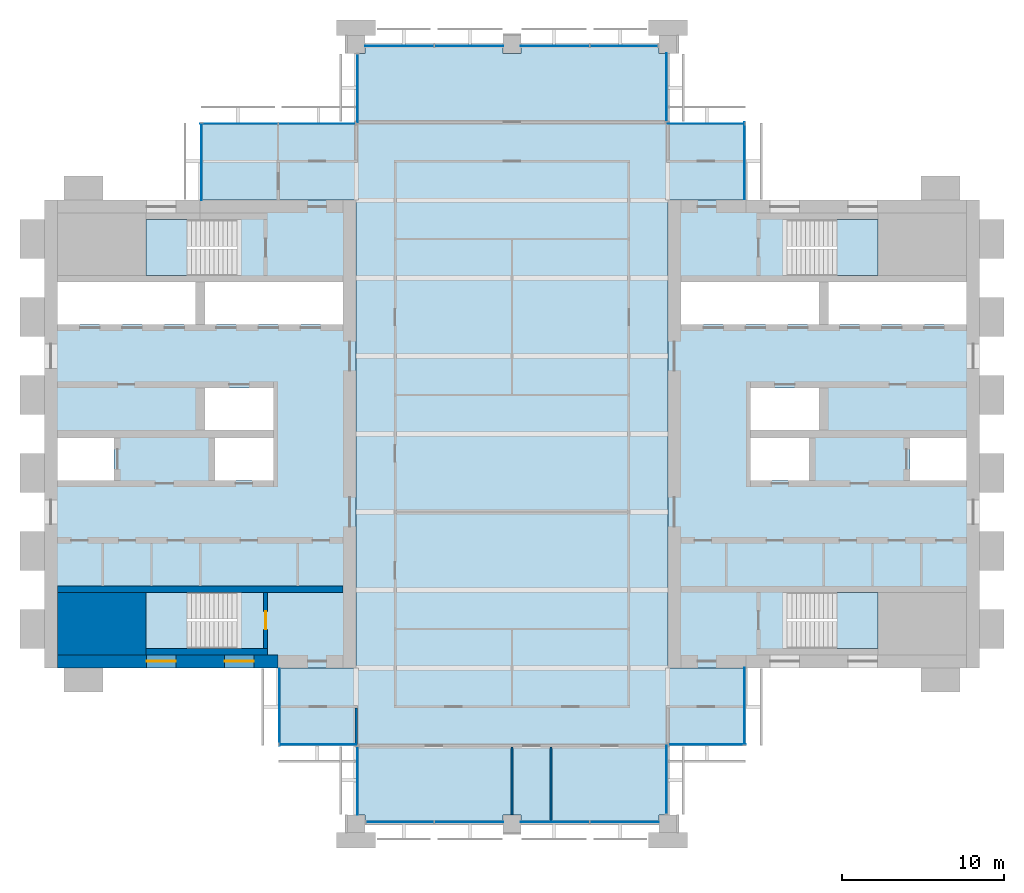
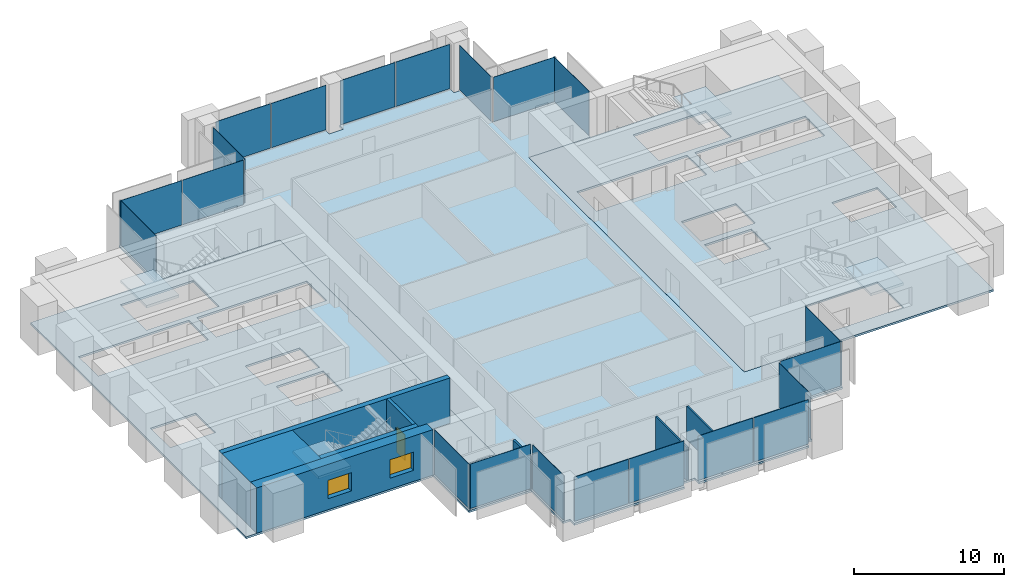
# One storey, part 7 of 13: 21 plates, 8 walls, 7 slabs, 2 windows, 1 door, 3 openings, 18 elements without a shape of their own.
"""IFC4 building model written with IfcOpenShell, lengths in metres."""

from ifc_helpers import new_model, si_unit, direction, frame, frame_2d, origin, origin_2d, place, context, subcontext, project, spatial, polyline, rectangle, outline, extrude, material, layer, layer_set, type_object, element, fill, aggregate, save


model = new_model("IFC4")

# Units and contexts
model_context = context("Model", 3, precision=1e-05, world=origin(), true_north=direction((0.0, 1.0)))
body_context = subcontext(model_context, "Body", "Model", "MODEL_VIEW")
ifc_project = project(units=[si_unit("LENGTHUNIT", "METRE"), si_unit("AREAUNIT", "SQUARE_METRE"), si_unit("VOLUMEUNIT", "CUBIC_METRE"), si_unit("PLANEANGLEUNIT", "RADIAN"), si_unit("MASSUNIT", "GRAM", prefix="KILO")], contexts=[model_context])

# Site, building, storey
site_placement = place(None, origin())
site = spatial("IfcSite", under=ifc_project, at=site_placement, CompositionType="ELEMENT")
building_placement = place(site_placement, origin())
building = spatial("IfcBuilding", under=site, at=building_placement, Name="Baori Bourse Tower", CompositionType="ELEMENT")
storey_placement = place(building_placement, frame((0.0, 0.0, 261.199951171875)))
storey = spatial("IfcBuildingStorey", under=building, at=storey_placement, Name="L58", CompositionType="ELEMENT", Elevation=261.199951171875)

# Curtain wall, plate
ifc_material_1 = material(Name="Pale anodised aluminium", Category="aluminium")
curtain_wall_type_1 = type_object("IfcCurtainWallType", Name="CW2 Curtain wall", PredefinedType="NOTDEFINED", material=ifc_material_1)
curtain_wall_1_placement = place(storey_placement, origin())
curtain_wall_1 = element("IfcCurtainWall", 1, at=curtain_wall_1_placement, inside=storey, type_object=curtain_wall_type_1, Name="Curtain wall CW2 L58 1", PredefinedType="NOTDEFINED")
ifc_material_2 = material(Name="Clear glass", Category="glass")
ifc_layer_1 = layer(ifc_material_2, 0.030029296875)
ifc_layer_set_1 = layer_set([ifc_layer_1], Name="CW2 Curtain wall panel")
plate_type_1 = type_object("IfcPlateType", Name="CW2 Curtain wall panel", PredefinedType="CURTAIN_PANEL", material=ifc_layer_set_1)
plate_1_placement = place(storey_placement, frame((43.110107421875, 40.827392578125, 0.070068359375), z_axis=(0.0, 0.0, 1.0), x_axis=(0.0, 1.0, 0.0)))
plate_1 = element("IfcPlate", 2, at=plate_1_placement, type_object=plate_type_1, Name="Curtain wall CW2 panel", PredefinedType="CURTAIN_PANEL", context=body_context, shape_type="SweptSolid", body=[
    extrude(rectangle(XDim=4.7451171875, YDim=0.030029296875, at=origin_2d()), origin(), (0.0, 0.0, 1.0), 3.6298828125),
])
aggregate(curtain_wall_1, [plate_1])

curtain_wall_2_placement = place(storey_placement, origin())
curtain_wall_2 = element("IfcCurtainWall", 3, at=curtain_wall_2_placement, inside=storey, type_object=curtain_wall_type_1, Name="Curtain wall CW2 L58 2", PredefinedType="NOTDEFINED")
plate_2_placement = place(storey_placement, frame((40.7724609375, 43.110107421875, 0.070068359375), z_axis=(0.0, 0.0, 1.0), x_axis=(-1.0, 0.0, 0.0)))
plate_2 = element("IfcPlate", 4, at=plate_2_placement, type_object=plate_type_1, Name="Curtain wall CW2 panel", PredefinedType="CURTAIN_PANEL", context=body_context, shape_type="SweptSolid", body=[
    extrude(rectangle(XDim=4.7451171875, YDim=0.030029296875, at=origin_2d()), origin(), (0.0, 0.0, 1.0), 3.6298828125),
])
aggregate(curtain_wall_2, [plate_2])

curtain_wall_3_placement = place(storey_placement, origin())
curtain_wall_3 = element("IfcCurtainWall", 5, at=curtain_wall_3_placement, inside=storey, type_object=curtain_wall_type_1, Name="Curtain wall CW2 L58 3", PredefinedType="NOTDEFINED")
plate_3_placement = place(storey_placement, frame((38.31005859375, 45.3525390625, 0.070068359375), z_axis=(0.0, 0.0, 1.0), x_axis=(0.0, 1.0, 0.0)))
plate_3 = element("IfcPlate", 6, at=plate_3_placement, type_object=plate_type_1, Name="Curtain wall CW2 panel", PredefinedType="CURTAIN_PANEL", context=body_context, shape_type="SweptSolid", body=[
    extrude(rectangle(XDim=4.195068359375, YDim=0.030029296875, at=origin_2d()), origin(), (0.0, 0.0, 1.0), 3.6298828125),
])
aggregate(curtain_wall_3, [plate_3])

curtain_wall_4_placement = place(storey_placement, origin())
curtain_wall_4 = element("IfcCurtainWall", 7, at=curtain_wall_4_placement, inside=storey, type_object=curtain_wall_type_1, Name="Curtain wall CW2 L58 5", PredefinedType="NOTDEFINED")
plate_4_placement = place(storey_placement, frame((19.2900390625, 45.297607421875, 0.070068359375), z_axis=(0.0, 0.0, 1.0), x_axis=(0.0, -1.0, 0.0)))
plate_4 = element("IfcPlate", 8, at=plate_4_placement, type_object=plate_type_1, Name="Curtain wall CW2 panel", PredefinedType="CURTAIN_PANEL", context=body_context, shape_type="SweptSolid", body=[
    extrude(rectangle(XDim=4.195068359375, YDim=0.030029296875, at=origin_2d()), origin(), (0.0, 0.0, 1.0), 3.6298828125),
])
aggregate(curtain_wall_4, [plate_4])

# Curtain wall, plates
curtain_wall_5_placement = place(storey_placement, origin())
curtain_wall_5 = element("IfcCurtainWall", 9, at=curtain_wall_5_placement, inside=storey, type_object=curtain_wall_type_1, Name="Curtain wall CW2 L58 6", PredefinedType="NOTDEFINED")
plate_5_placement = place(storey_placement, frame((16.7861328125, 43.110107421875, 0.070068359375), z_axis=(0.0, 0.0, 1.0), x_axis=(-1.0, 0.0, 0.0)))
plate_5 = element("IfcPlate", 10, at=plate_5_placement, type_object=plate_type_1, Name="Curtain wall CW2 panel", PredefinedType="CURTAIN_PANEL", context=body_context, shape_type="SweptSolid", body=[
    extrude(rectangle(XDim=4.717529296875, YDim=0.030029296875, at=origin_2d()), origin(), (0.0, 0.0, 1.0), 3.6298828125),
])
plate_6_placement = place(storey_placement, frame((11.986328125, 43.110107421875, 0.070068359375), z_axis=(0.0, 0.0, 1.0), x_axis=(-1.0, 0.0, 0.0)))
plate_6 = element("IfcPlate", 11, at=plate_6_placement, type_object=plate_type_1, Name="Curtain wall CW2 panel", PredefinedType="CURTAIN_PANEL", context=body_context, shape_type="SweptSolid", body=[
    extrude(rectangle(XDim=4.7724609375, YDim=0.030029296875, at=origin_2d()), origin(), (0.0, 0.0, 1.0), 3.6298828125),
])
aggregate(curtain_wall_5, [plate_5, plate_6])

# Curtain wall, plate
curtain_wall_6_placement = place(storey_placement, origin())
curtain_wall_6 = element("IfcCurtainWall", 12, at=curtain_wall_6_placement, inside=storey, type_object=curtain_wall_type_1, Name="Curtain wall CW2 L58 7", PredefinedType="NOTDEFINED")
plate_7_placement = place(storey_placement, frame((9.68994140625, 40.7724609375, 0.070068359375), z_axis=(0.0, 0.0, 1.0), x_axis=(0.0, -1.0, 0.0)))
plate_7 = element("IfcPlate", 13, at=plate_7_placement, type_object=plate_type_1, Name="Curtain wall CW2 panel", PredefinedType="CURTAIN_PANEL", context=body_context, shape_type="SweptSolid", body=[
    extrude(rectangle(XDim=4.7451171875, YDim=0.030029296875, at=origin_2d()), origin(), (0.0, 0.0, 1.0), 3.6298828125),
])
aggregate(curtain_wall_6, [plate_7])

curtain_wall_7_placement = place(storey_placement, origin())
curtain_wall_7 = element("IfcCurtainWall", 14, at=curtain_wall_7_placement, inside=storey, type_object=curtain_wall_type_1, Name="Curtain wall CW2 L58 8", PredefinedType="NOTDEFINED")
plate_8_placement = place(storey_placement, frame((14.489990234375, 7.172607421875, 0.070068359375), z_axis=(0.0, 0.0, 1.0), x_axis=(0.0, -1.0, 0.0)))
plate_8 = element("IfcPlate", 15, at=plate_8_placement, type_object=plate_type_1, Name="Curtain wall CW2 panel", PredefinedType="CURTAIN_PANEL", context=body_context, shape_type="SweptSolid", body=[
    extrude(rectangle(XDim=4.7451171875, YDim=0.030029296875, at=origin_2d()), origin(), (0.0, 0.0, 1.0), 3.6298828125),
])
aggregate(curtain_wall_7, [plate_8])

curtain_wall_8_placement = place(storey_placement, origin())
curtain_wall_8 = element("IfcCurtainWall", 16, at=curtain_wall_8_placement, inside=storey, type_object=curtain_wall_type_1, Name="Curtain wall CW2 L58 9", PredefinedType="NOTDEFINED")
plate_9_placement = place(storey_placement, frame((16.827392578125, 4.889892578125, 0.070068359375), z_axis=(0.0, 0.0, 1.0), x_axis=(1.0, 0.0, 0.0)))
plate_9 = element("IfcPlate", 17, at=plate_9_placement, type_object=plate_type_1, Name="Curtain wall CW2 panel", PredefinedType="CURTAIN_PANEL", context=body_context, shape_type="SweptSolid", body=[
    extrude(rectangle(XDim=4.7451171875, YDim=0.030029296875, at=origin_2d()), origin(), (0.0, 0.0, 1.0), 3.6298828125),
])
aggregate(curtain_wall_8, [plate_9])

curtain_wall_9_placement = place(storey_placement, origin())
curtain_wall_9 = element("IfcCurtainWall", 18, at=curtain_wall_9_placement, inside=storey, type_object=curtain_wall_type_1, Name="Curtain wall CW2 L58 10", PredefinedType="NOTDEFINED")
plate_10_placement = place(storey_placement, frame((19.2900390625, 2.6474609375, 0.070068359375), z_axis=(0.0, 0.0, 1.0), x_axis=(0.0, -1.0, 0.0)))
plate_10 = element("IfcPlate", 19, at=plate_10_placement, type_object=plate_type_1, Name="Curtain wall CW2 panel", PredefinedType="CURTAIN_PANEL", context=body_context, shape_type="SweptSolid", body=[
    extrude(rectangle(XDim=4.195068359375, YDim=0.030029296875, at=origin_2d()), origin(), (0.0, 0.0, 1.0), 3.6298828125),
])
aggregate(curtain_wall_9, [plate_10])

curtain_wall_10_placement = place(storey_placement, origin())
curtain_wall_10 = element("IfcCurtainWall", 20, at=curtain_wall_10_placement, inside=storey, type_object=curtain_wall_type_1, Name="Curtain wall CW2 L58 12", PredefinedType="NOTDEFINED")
plate_11_placement = place(storey_placement, frame((38.31005859375, 2.702392578125, 0.070068359375), z_axis=(0.0, 0.0, 1.0), x_axis=(0.0, 1.0, 0.0)))
plate_11 = element("IfcPlate", 21, at=plate_11_placement, type_object=plate_type_1, Name="Curtain wall CW2 panel", PredefinedType="CURTAIN_PANEL", context=body_context, shape_type="SweptSolid", body=[
    extrude(rectangle(XDim=4.195068359375, YDim=0.030029296875, at=origin_2d()), origin(), (0.0, 0.0, 1.0), 3.6298828125),
])
aggregate(curtain_wall_10, [plate_11])

curtain_wall_11_placement = place(storey_placement, origin())
curtain_wall_11 = element("IfcCurtainWall", 22, at=curtain_wall_11_placement, inside=storey, type_object=curtain_wall_type_1, Name="Curtain wall CW2 L58 13", PredefinedType="NOTDEFINED")
plate_12_placement = place(storey_placement, frame((40.827392578125, 4.889892578125, 0.070068359375), z_axis=(0.0, 0.0, 1.0), x_axis=(1.0, 0.0, 0.0)))
plate_12 = element("IfcPlate", 23, at=plate_12_placement, type_object=plate_type_1, Name="Curtain wall CW2 panel", PredefinedType="CURTAIN_PANEL", context=body_context, shape_type="SweptSolid", body=[
    extrude(rectangle(XDim=4.7451171875, YDim=0.030029296875, at=origin_2d()), origin(), (0.0, 0.0, 1.0), 3.6298828125),
])
aggregate(curtain_wall_11, [plate_12])

curtain_wall_12_placement = place(storey_placement, origin())
curtain_wall_12 = element("IfcCurtainWall", 24, at=curtain_wall_12_placement, inside=storey, type_object=curtain_wall_type_1, Name="Curtain wall CW2 L58 14", PredefinedType="NOTDEFINED")
plate_13_placement = place(storey_placement, frame((43.110107421875, 7.2275390625, 0.070068359375), z_axis=(0.0, 0.0, 1.0), x_axis=(0.0, 1.0, 0.0)))
plate_13 = element("IfcPlate", 25, at=plate_13_placement, type_object=plate_type_1, Name="Curtain wall CW2 panel", PredefinedType="CURTAIN_PANEL", context=body_context, shape_type="SweptSolid", body=[
    extrude(rectangle(XDim=4.7451171875, YDim=0.030029296875, at=origin_2d()), origin(), (0.0, 0.0, 1.0), 3.6298828125),
])
aggregate(curtain_wall_12, [plate_13])

# Curtain wall, plates
ifc_material_3 = material(Name="Pale anodised aluminium", Category="aluminium")
curtain_wall_type_2 = type_object("IfcCurtainWallType", Name="CW5 Curtain wall", PredefinedType="NOTDEFINED", material=ifc_material_3)
curtain_wall_13_placement = place(storey_placement, origin())
curtain_wall_13 = element("IfcCurtainWall", 26, at=curtain_wall_13_placement, inside=storey, type_object=curtain_wall_type_2, Name="Curtain wall CW5 L58 4", PredefinedType="NOTDEFINED")
ifc_material_4 = material(Name="Clear glass", Category="glass")
ifc_layer_2 = layer(ifc_material_4, 0.035888671875)
ifc_layer_set_2 = layer_set([ifc_layer_2], Name="CW5 Curtain wall panel")
plate_type_2 = type_object("IfcPlateType", Name="CW5 Curtain wall panel", PredefinedType="CURTAIN_PANEL", material=ifc_layer_set_2)
plate_14_placement = place(storey_placement, frame((35.708740234375, 47.889892578125, 0.0849609375), z_axis=(0.0, 0.0, 1.0), x_axis=(-1.0, 0.0, 0.0)))
plate_14 = element("IfcPlate", 27, at=plate_14_placement, type_object=plate_type_2, Name="Curtain wall CW5 panel", PredefinedType="CURTAIN_PANEL", context=body_context, shape_type="SweptSolid", body=[
    extrude(rectangle(XDim=4.152587890625, YDim=0.035888671875, at=origin_2d()), origin(), (0.0, 0.0, 1.0), 3.614990234375),
])
plate_15_placement = place(storey_placement, frame((31.458740234375, 47.889892578125, 0.0849609375), z_axis=(0.0, 0.0, 1.0), x_axis=(-1.0, 0.0, 0.0)))
plate_15 = element("IfcPlate", 28, at=plate_15_placement, type_object=plate_type_2, Name="Curtain wall CW5 panel", PredefinedType="CURTAIN_PANEL", context=body_context, shape_type="SweptSolid", body=[
    extrude(rectangle(XDim=4.217529296875, YDim=0.035888671875, at=origin_2d()), origin(), (0.0, 0.0, 1.0), 3.614990234375),
])
plate_16_placement = place(storey_placement, frame((26.141357421875, 47.889892578125, 0.0849609375), z_axis=(0.0, 0.0, 1.0), x_axis=(-1.0, 0.0, 0.0)))
plate_16 = element("IfcPlate", 29, at=plate_16_placement, type_object=plate_type_2, Name="Curtain wall CW5 panel", PredefinedType="CURTAIN_PANEL", context=body_context, shape_type="SweptSolid", body=[
    extrude(rectangle(XDim=4.217529296875, YDim=0.035888671875, at=origin_2d()), origin(), (0.0, 0.0, 1.0), 3.614990234375),
])
plate_17_placement = place(storey_placement, frame((21.858642578125, 47.889892578125, 0.0849609375), z_axis=(0.0, 0.0, 1.0), x_axis=(-1.0, 0.0, 0.0)))
plate_17 = element("IfcPlate", 30, at=plate_17_placement, type_object=plate_type_2, Name="Curtain wall CW5 panel", PredefinedType="CURTAIN_PANEL", context=body_context, shape_type="SweptSolid", body=[
    extrude(rectangle(XDim=4.217529296875, YDim=0.035888671875, at=origin_2d()), origin(), (0.0, 0.0, 1.0), 3.614990234375),
])
aggregate(curtain_wall_13, [plate_14, plate_15, plate_16, plate_17])

curtain_wall_14_placement = place(storey_placement, origin())
curtain_wall_14 = element("IfcCurtainWall", 31, at=curtain_wall_14_placement, inside=storey, type_object=curtain_wall_type_2, Name="Curtain wall CW5 L58 11", PredefinedType="NOTDEFINED")
plate_18_placement = place(storey_placement, frame((21.891357421875, 0.110107421875, 0.0849609375), z_axis=(0.0, 0.0, 1.0), x_axis=(1.0, 0.0, 0.0)))
plate_18 = element("IfcPlate", 32, at=plate_18_placement, type_object=plate_type_2, Name="Curtain wall CW5 panel", PredefinedType="CURTAIN_PANEL", context=body_context, shape_type="SweptSolid", body=[
    extrude(rectangle(XDim=4.152587890625, YDim=0.035888671875, at=origin_2d()), origin(), (0.0, 0.0, 1.0), 3.614990234375),
])
plate_19_placement = place(storey_placement, frame((26.141357421875, 0.110107421875, 0.0849609375), z_axis=(0.0, 0.0, 1.0), x_axis=(1.0, 0.0, 0.0)))
plate_19 = element("IfcPlate", 33, at=plate_19_placement, type_object=plate_type_2, Name="Curtain wall CW5 panel", PredefinedType="CURTAIN_PANEL", context=body_context, shape_type="SweptSolid", body=[
    extrude(rectangle(XDim=4.217529296875, YDim=0.035888671875, at=origin_2d()), origin(), (0.0, 0.0, 1.0), 3.614990234375),
])
plate_20_placement = place(storey_placement, frame((31.458740234375, 0.110107421875, 0.0849609375), z_axis=(0.0, 0.0, 1.0), x_axis=(1.0, 0.0, 0.0)))
plate_20 = element("IfcPlate", 34, at=plate_20_placement, type_object=plate_type_2, Name="Curtain wall CW5 panel", PredefinedType="CURTAIN_PANEL", context=body_context, shape_type="SweptSolid", body=[
    extrude(rectangle(XDim=4.217529296875, YDim=0.035888671875, at=origin_2d()), origin(), (0.0, 0.0, 1.0), 3.614990234375),
])
plate_21_placement = place(storey_placement, frame((35.7412109375, 0.110107421875, 0.0849609375), z_axis=(0.0, 0.0, 1.0), x_axis=(1.0, 0.0, 0.0)))
plate_21 = element("IfcPlate", 35, at=plate_21_placement, type_object=plate_type_2, Name="Curtain wall CW5 panel", PredefinedType="CURTAIN_PANEL", context=body_context, shape_type="SweptSolid", body=[
    extrude(rectangle(XDim=4.217529296875, YDim=0.035888671875, at=origin_2d()), origin(), (0.0, 0.0, 1.0), 3.614990234375),
])
aggregate(curtain_wall_14, [plate_18, plate_19, plate_20, plate_21])

# Slabs
ifc_material_5 = material(Name="Concrete f'c 50 MPa", Category="concrete")
ifc_layer_3 = layer(ifc_material_5, 0.159912109375)
ifc_layer_set_3 = layer_set([ifc_layer_3], Name="Core slab 160")
slab_type_1 = type_object("IfcSlabType", Name="Core slab 160", PredefinedType="FLOOR", material=ifc_layer_set_3)
slab_1_placement = place(storey_placement, frame((0.0, 0.0, -0.159912109375)))
element("IfcSlab", 36, at=slab_1_placement, inside=storey, type_object=slab_type_1, Name="Core floor slab W01", PredefinedType="FLOOR", context=body_context, shape_type="SweptSolid", body=[
    extrude(outline(polyline([(19.199951171875, 38.39990234375), (0.0, 38.39990234375), (0.0, 9.60009765625), (19.199951171875, 9.60009765625), (19.199951171875, 38.39990234375)]), holes=[polyline([(9.89990234375, 33.35009765625), (18.39990234375, 33.35009765625), (18.39990234375, 30.75), (9.89990234375, 30.75), (9.89990234375, 33.35009765625)]), polyline([(10.5, 21.14990234375), (10.5, 23.75), (14.10009765625, 23.75), (14.10009765625, 21.14990234375), (10.5, 21.14990234375)]), polyline([(14.10009765625, 24.25), (9.89990234375, 24.25), (9.89990234375, 26.85009765625), (14.10009765625, 26.85009765625), (14.10009765625, 24.25)]), polyline([(6.25, 14.25), (11.84912109375, 14.25), (11.84912109375, 10.800048828125), (6.25, 10.800048828125), (6.25, 14.25)]), polyline([(11.84912109375, 37.199951171875), (11.84912109375, 33.75), (6.25, 33.75), (6.25, 37.199951171875), (11.84912109375, 37.199951171875)]), polyline([(0.800048828125, 30.75), (0.800048828125, 33.35009765625), (9.300048828125, 33.35009765625), (9.300048828125, 30.75), (0.800048828125, 30.75)]), polyline([(4.300048828125, 23.75), (4.300048828125, 21.14990234375), (0.800048828125, 21.14990234375), (0.800048828125, 23.75), (4.300048828125, 23.75)])]), origin(), (0.0, 0.0, 1.0), 0.159912109375),
])
slab_2_placement = place(storey_placement, frame((0.0, 0.0, -0.159912109375)))
element("IfcSlab", 37, at=slab_2_placement, inside=storey, type_object=slab_type_1, Name="Core floor slab E01", PredefinedType="FLOOR", context=body_context, shape_type="SweptSolid", body=[
    extrude(outline(polyline([(57.60009765625, 9.60009765625), (57.60009765625, 38.39990234375), (38.39990234375, 38.39990234375), (38.39990234375, 9.60009765625), (57.60009765625, 9.60009765625)]), holes=[polyline([(48.300048828125, 33.35009765625), (56.800048828125, 33.35009765625), (56.800048828125, 30.75), (48.300048828125, 30.75), (48.300048828125, 33.35009765625)]), polyline([(56.800048828125, 21.14990234375), (53.300048828125, 21.14990234375), (53.300048828125, 23.75), (56.800048828125, 23.75), (56.800048828125, 21.14990234375)]), polyline([(45.750732421875, 14.25), (51.35009765625, 14.25), (51.35009765625, 10.800048828125), (45.750732421875, 10.800048828125), (45.750732421875, 14.25)]), polyline([(51.35009765625, 37.199951171875), (51.35009765625, 33.75), (45.750732421875, 33.75), (45.750732421875, 37.199951171875), (51.35009765625, 37.199951171875)]), polyline([(43.5, 24.25), (43.5, 26.85009765625), (47.699951171875, 26.85009765625), (47.699951171875, 24.25), (43.5, 24.25)]), polyline([(47.699951171875, 33.35009765625), (47.699951171875, 30.75), (39.199951171875, 30.75), (39.199951171875, 33.35009765625), (47.699951171875, 33.35009765625)]), polyline([(43.5, 23.75), (47.10009765625, 23.75), (47.10009765625, 21.14990234375), (43.5, 21.14990234375), (43.5, 23.75)])]), origin(), (0.0, 0.0, 1.0), 0.159912109375),
])

# Stair, slab
ifc_material_6 = material(Name="Concrete f'c 50 MPa", Category="concrete")
stair_type = type_object("IfcStairType", Name="Core stair", PredefinedType="HALF_TURN_STAIR", material=ifc_material_6)
stair_1_placement = place(storey_placement, origin())
stair_1 = element("IfcStair", 38, at=stair_1_placement, inside=storey, type_object=stair_type, Name="L58 Stair WA", PredefinedType="HALF_TURN_STAIR")
ifc_material_7 = material(Name="Concrete f'c 50 MPa", Category="concrete")
slab_type_2 = type_object("IfcSlabType", Name="Core stair landing", PredefinedType="LANDING", material=ifc_material_7)
slab_3_placement = place(storey_placement, frame((0.0, 0.0, 1.800048828125)))
slab_3 = element("IfcSlab", 39, at=slab_3_placement, type_object=slab_type_2, Name="ST1 landing 1", PredefinedType="LANDING", context=body_context, shape_type="SweptSolid", body=[
    extrude(outline(polyline([(8.77001953125, 14.25), (6.25, 14.25), (6.25, 10.800048828125), (8.77001953125, 10.800048828125), (8.77001953125, 14.25)])), origin(), (0.0, 0.0, 1.0), 0.199951171875),
])
aggregate(stair_1, [slab_3])

stair_2_placement = place(storey_placement, origin())
stair_2 = element("IfcStair", 40, at=stair_2_placement, inside=storey, type_object=stair_type, Name="L58 Stair WB", PredefinedType="HALF_TURN_STAIR")
slab_4_placement = place(storey_placement, frame((0.0, 0.0, 1.800048828125)))
slab_4 = element("IfcSlab", 41, at=slab_4_placement, type_object=slab_type_2, Name="ST2 landing 1", PredefinedType="LANDING", context=body_context, shape_type="SweptSolid", body=[
    extrude(outline(polyline([(8.77001953125, 37.199951171875), (6.25, 37.199951171875), (6.25, 33.75), (8.77001953125, 33.75), (8.77001953125, 37.199951171875)])), origin(), (0.0, 0.0, 1.0), 0.199951171875),
])
aggregate(stair_2, [slab_4])

stair_3_placement = place(storey_placement, origin())
stair_3 = element("IfcStair", 42, at=stair_3_placement, inside=storey, type_object=stair_type, Name="L58 Stair EA", PredefinedType="HALF_TURN_STAIR")
slab_5_placement = place(storey_placement, frame((0.0, 0.0, 1.800048828125)))
slab_5 = element("IfcSlab", 43, at=slab_5_placement, type_object=slab_type_2, Name="ST3 landing 1", PredefinedType="LANDING", context=body_context, shape_type="SweptSolid", body=[
    extrude(outline(polyline([(48.830078125, 10.800048828125), (51.35009765625, 10.800048828125), (51.35009765625, 14.25), (48.830078125, 14.25), (48.830078125, 10.800048828125)])), origin(), (0.0, 0.0, 1.0), 0.199951171875),
])
aggregate(stair_3, [slab_5])

stair_4_placement = place(storey_placement, origin())
stair_4 = element("IfcStair", 44, at=stair_4_placement, inside=storey, type_object=stair_type, Name="L58 Stair EB", PredefinedType="HALF_TURN_STAIR")
slab_6_placement = place(storey_placement, frame((0.0, 0.0, 1.800048828125)))
slab_6 = element("IfcSlab", 45, at=slab_6_placement, type_object=slab_type_2, Name="ST4 landing 1", PredefinedType="LANDING", context=body_context, shape_type="SweptSolid", body=[
    extrude(outline(polyline([(48.830078125, 33.75), (51.35009765625, 33.75), (51.35009765625, 37.199951171875), (48.830078125, 37.199951171875), (48.830078125, 33.75)])), origin(), (0.0, 0.0, 1.0), 0.199951171875),
])
aggregate(stair_4, [slab_6])

# Slab
ifc_material_8 = material(Name="Concrete f'c 40 MPa", Category="concrete")
ifc_layer_4 = layer(ifc_material_8, 0.159912109375)
ifc_layer_set_4 = layer_set([ifc_layer_4], Name="Floor slab 160")
slab_type_3 = type_object("IfcSlabType", Name="Floor slab 160", PredefinedType="FLOOR", material=ifc_layer_set_4)
slab_7_placement = place(storey_placement, frame((0.0, 0.0, -0.159912109375)))
element("IfcSlab", 46, at=slab_7_placement, inside=storey, type_object=slab_type_3, Name="Floor slab L58", PredefinedType="FLOOR", context=body_context, shape_type="SweptSolid", body=[
    extrude(outline(polyline([(19.199951171875, 4.800048828125), (14.39990234375, 4.800048828125), (14.39990234375, 9.60009765625), (19.199951171875, 9.60009765625), (19.199951171875, 38.39990234375), (9.60009765625, 38.39990234375), (9.60009765625, 43.199951171875), (19.199951171875, 43.199951171875), (19.199951171875, 47.449951171875), (19.75, 47.449951171875), (19.75, 48.0), (28.25, 48.0), (28.25, 47.449951171875), (29.35009765625, 47.449951171875), (29.35009765625, 48.0), (37.85009765625, 48.0), (37.85009765625, 47.449951171875), (38.39990234375, 47.449951171875), (38.39990234375, 43.199951171875), (43.199951171875, 43.199951171875), (43.199951171875, 38.39990234375), (38.39990234375, 38.39990234375), (38.39990234375, 9.60009765625), (43.199951171875, 9.60009765625), (43.199951171875, 4.800048828125), (38.39990234375, 4.800048828125), (38.39990234375, 0.550048828125), (37.85009765625, 0.550048828125), (37.85009765625, 0.0), (29.35009765625, 0.0), (29.35009765625, 0.550048828125), (28.25, 0.550048828125), (28.25, 0.0), (19.75, 0.0), (19.75, 0.550048828125), (19.199951171875, 0.550048828125), (19.199951171875, 4.800048828125)])), origin(), (0.0, 0.0, 1.0), 0.159912109375),
])

# Wall
ifc_material_9 = material(Name="Concrete f'c 50 MPa", Category="concrete")
wall_type_1 = type_object("IfcWallType", Name="Core corner block f'c 50", PredefinedType="SHEAR", material=ifc_material_9)
wall_1_placement = place(storey_placement, frame((0.800048828125, 12.324951171875, 0.0), z_axis=(0.0, 0.0, 1.0), x_axis=(1.0, 0.0, 0.0)))
element("IfcWall", 47, at=wall_1_placement, inside=storey, type_object=wall_type_1, Name="Core wall W05", PredefinedType="SHEAR", context=body_context, shape_type="SweptSolid", body=[
    extrude(rectangle(XDim=5.449951171875, YDim=3.85009765625, at=frame_2d((2.72509765625, 0.0))), origin(), (0.0, 0.0, 1.0), 3.699951171875),
])

# Wall, openings, windows
ifc_material_10 = material(Name="Concrete f'c 50 MPa", Category="concrete")
ifc_layer_5 = layer(ifc_material_10, 0.800048828125)
ifc_layer_set_5 = layer_set([ifc_layer_5], Name="Core wall 800 f'c 50")
wall_type_2 = type_object("IfcWallType", Name="Core wall 800 f'c 50", PredefinedType="SHEAR", material=ifc_layer_set_5)
wall_2_placement = place(storey_placement, frame((14.39990234375, 10.0, 0.0), z_axis=(0.0, 0.0, 1.0), x_axis=(-1.0, 0.0, 0.0)))
wall_2 = element("IfcWall", 48, at=wall_2_placement, inside=storey, type_object=wall_type_2, Name="Core wall W02", PredefinedType="SHEAR", context=body_context, shape_type="SweptSolid", body=[
    extrude(rectangle(XDim=13.599853515625, YDim=0.800048828125, at=frame_2d((6.7998046875, 0.0))), origin(), (0.0, 0.0, 1.0), 3.699951171875),
])
opening_1_placement = place(wall_2_placement, frame((6.300048828125, 0.0, 0.89990234375)))
opening_1 = element("IfcOpeningElement", 49, at=opening_1_placement, cuts=wall_2, Name="Opening L58-KW103", PredefinedType="OPENING", context=body_context, shape_type="SweptSolid", body=[
    extrude(rectangle(XDim=1.800048828125, YDim=1.5, at=frame_2d((0.89990234375, 0.75))), frame((0.0, 0.409912109375, 0.0), z_axis=(0.0, -1.0, 0.0), x_axis=(1.0, 0.0, 0.0)), (0.0, 0.0, 1.0), 0.820068359375),
])
opening_2_placement = place(wall_2_placement, frame((1.5, 0.0, 0.89990234375)))
opening_2 = element("IfcOpeningElement", 50, at=opening_2_placement, cuts=wall_2, Name="Opening L58-KW104", PredefinedType="OPENING", context=body_context, shape_type="SweptSolid", body=[
    extrude(rectangle(XDim=1.800048828125, YDim=1.5, at=frame_2d((0.89990234375, 0.75))), frame((0.0, 0.409912109375, 0.0), z_axis=(0.0, -1.0, 0.0), x_axis=(1.0, 0.0, 0.0)), (0.0, 0.0, 1.0), 0.820068359375),
])
ifc_material_11 = material(Name="Pale anodised aluminium", Category="aluminium")
window_type = type_object("IfcWindowType", Name="Stair window 1800 x 1500", PartitioningType="SINGLE_PANEL", PredefinedType="WINDOW", material=ifc_material_11)
window_1_placement = place(opening_1_placement, origin())
window_1 = element("IfcWindow", 51, at=window_1_placement, inside=storey, type_object=window_type, Name="Stair window W L58 3", OverallHeight=1.5, OverallWidth=1.800048828125, PartitioningType="SINGLE_PANEL", PredefinedType="WINDOW", context=body_context, shape_type="SweptSolid", body=[
    extrude(rectangle(XDim=1.800048828125, YDim=1.5, at=frame_2d((0.89990234375, 0.75))), frame((0.0, 0.030029296875, 0.0), z_axis=(0.0, -1.0, 0.0), x_axis=(1.0, 0.0, 0.0)), (0.0, 0.0, 1.0), 0.06005859375),
])
fill(opening_1, window_1)
window_2_placement = place(opening_2_placement, origin())
window_2 = element("IfcWindow", 52, at=window_2_placement, inside=storey, type_object=window_type, Name="Stair window W L58 4", OverallHeight=1.5, OverallWidth=1.800048828125, PartitioningType="SINGLE_PANEL", PredefinedType="WINDOW", context=body_context, shape_type="SweptSolid", body=[
    extrude(rectangle(XDim=1.800048828125, YDim=1.5, at=frame_2d((0.89990234375, 0.75))), frame((0.0, 0.030029296875, 0.0), z_axis=(0.0, -1.0, 0.0), x_axis=(1.0, 0.0, 0.0)), (0.0, 0.0, 1.0), 0.06005859375),
])
fill(opening_2, window_2)

# Walls
ifc_material_12 = material(Name="Gypsum board partition")
ifc_layer_6 = layer(ifc_material_12, 0.14990234375)
ifc_layer_set_6 = layer_set([ifc_layer_6], Name="Corridor partition 150")
wall_type_3 = type_object("IfcWallType", Name="Corridor partition 150", PredefinedType="PARTITIONING", material=ifc_layer_set_6)
wall_3_placement = place(storey_placement, frame((19.199951171875, 4.875, 0.0), z_axis=(0.0, 0.0, 1.0), x_axis=(0.0, 1.0, 0.0)))
element("IfcWall", 53, at=wall_3_placement, inside=storey, type_object=wall_type_3, Name="Partition", PredefinedType="PARTITIONING", context=body_context, shape_type="SweptSolid", body=[
    extrude(rectangle(XDim=2.25, YDim=0.14990234375, at=frame_2d((1.125, 0.0))), origin(), (0.0, 0.0, 1.0), 2.70947265625),
])
ifc_material_13 = material(Name="Gypsum board partition")
ifc_layer_7 = layer(ifc_material_13, 0.125)
ifc_layer_set_7 = layer_set([ifc_layer_7], Name="Partition 125")
wall_type_4 = type_object("IfcWallType", Name="Partition 125", PredefinedType="PARTITIONING", material=ifc_layer_set_7)
wall_4_placement = place(storey_placement, frame((28.800048828125, 0.550048828125, 0.0), z_axis=(0.0, 0.0, 1.0), x_axis=(0.0, 1.0, 0.0)))
element("IfcWall", 54, at=wall_4_placement, inside=storey, type_object=wall_type_4, Name="Partition", PredefinedType="PARTITIONING", context=body_context, shape_type="SweptSolid", body=[
    extrude(rectangle(XDim=4.175048828125, YDim=0.125, at=frame_2d((2.08740234375, 0.0))), origin(), (0.0, 0.0, 1.0), 2.70947265625),
])
wall_5_placement = place(storey_placement, frame((31.199951171875, 0.10009765625, 0.0), z_axis=(0.0, 0.0, 1.0), x_axis=(0.0, 1.0, 0.0)))
element("IfcWall", 55, at=wall_5_placement, inside=storey, type_object=wall_type_4, Name="Partition", PredefinedType="PARTITIONING", context=body_context, shape_type="SweptSolid", body=[
    extrude(rectangle(XDim=4.625, YDim=0.125, at=frame_2d((2.3125, 0.0))), origin(), (0.0, 0.0, 1.0), 2.70947265625),
])

# Wall, opening, door
ifc_material_14 = material(Name="Concrete f'c 50 MPa", Category="concrete")
ifc_layer_8 = layer(ifc_material_14, 0.25)
ifc_layer_set_8 = layer_set([ifc_layer_8], Name="Shaft wall 250 f'c 50")
wall_type_5 = type_object("IfcWallType", Name="Shaft wall 250 f'c 50", PredefinedType="SHEAR", material=ifc_layer_set_8)
wall_6_placement = place(storey_placement, frame((13.625, 10.800048828125, 0.0), z_axis=(0.0, 0.0, 1.0), x_axis=(0.0, 1.0, 0.0)))
wall_6 = element("IfcWall", 56, at=wall_6_placement, inside=storey, type_object=wall_type_5, Name="Core wall W07", PredefinedType="SHEAR", context=body_context, shape_type="SweptSolid", body=[
    extrude(rectangle(XDim=3.449951171875, YDim=0.25, at=frame_2d((1.72509765625, 0.0))), origin(), (0.0, 0.0, 1.0), 3.699951171875),
])
opening_3_placement = place(wall_6_placement, frame((1.175048828125, 0.0, 0.0)))
opening_3 = element("IfcOpeningElement", 57, at=opening_3_placement, cuts=wall_6, Name="Opening L58-D101", PredefinedType="OPENING", context=body_context, shape_type="SweptSolid", body=[
    extrude(rectangle(XDim=1.10009765625, YDim=2.10009765625, at=frame_2d((0.550048828125, 1.050048828125))), frame((0.0, 0.135009765625, 0.0), z_axis=(0.0, -1.0, 0.0), x_axis=(1.0, 0.0, 0.0)), (0.0, 0.0, 1.0), 0.27001953125),
])
ifc_material_15 = material(Name="Painted steel door", Category="steel")
door_type = type_object("IfcDoorType", Name="Stair door 1100", OperationType="SINGLE_SWING_LEFT", PredefinedType="DOOR", material=ifc_material_15)
door_placement = place(opening_3_placement, origin())
door = element("IfcDoor", 58, at=door_placement, inside=storey, type_object=door_type, Name="Stair door A W L58", OperationType="SINGLE_SWING_LEFT", OverallHeight=2.10009765625, OverallWidth=1.10009765625, PredefinedType="DOOR", context=body_context, shape_type="SweptSolid", body=[
    extrude(rectangle(XDim=1.10009765625, YDim=2.10009765625, at=frame_2d((0.550048828125, 1.050048828125))), frame((0.0, 0.02490234375, 0.0), z_axis=(0.0, -1.0, 0.0), x_axis=(1.0, 0.0, 0.0)), (0.0, 0.0, 1.0), 0.050048828125),
])
fill(opening_3, door)

# Walls
ifc_material_16 = material(Name="Concrete f'c 50 MPa", Category="concrete")
ifc_layer_9 = layer(ifc_material_16, 0.39990234375)
ifc_layer_set_9 = layer_set([ifc_layer_9], Name="Shaft wall 400 f'c 50")
wall_type_6 = type_object("IfcWallType", Name="Shaft wall 400 f'c 50", PredefinedType="SHEAR", material=ifc_layer_set_9)
wall_7_placement = place(storey_placement, frame((6.25, 10.60009765625, 0.0), z_axis=(0.0, 0.0, 1.0), x_axis=(1.0, 0.0, 0.0)))
element("IfcWall", 59, at=wall_7_placement, inside=storey, type_object=wall_type_6, Name="Core wall W06", PredefinedType="SHEAR", context=body_context, shape_type="SweptSolid", body=[
    extrude(rectangle(XDim=7.5, YDim=0.39990234375, at=frame_2d((3.75, 0.0))), origin(), (0.0, 0.0, 1.0), 3.699951171875),
])
wall_8_placement = place(storey_placement, frame((0.800048828125, 14.449951171875, 0.0), z_axis=(0.0, 0.0, 1.0), x_axis=(1.0, 0.0, 0.0)))
element("IfcWall", 60, at=wall_8_placement, inside=storey, type_object=wall_type_6, Name="Core wall W08", PredefinedType="SHEAR", context=body_context, shape_type="SweptSolid", body=[
    extrude(rectangle(XDim=17.599853515625, YDim=0.39990234375, at=frame_2d((8.7998046875, 0.0))), origin(), (0.0, 0.0, 1.0), 3.699951171875),
])

save(model, "model.ifc")
